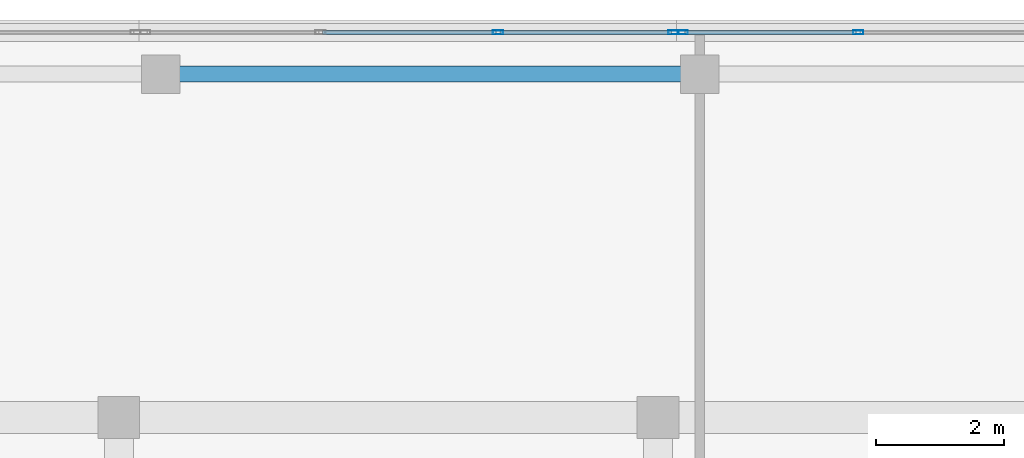
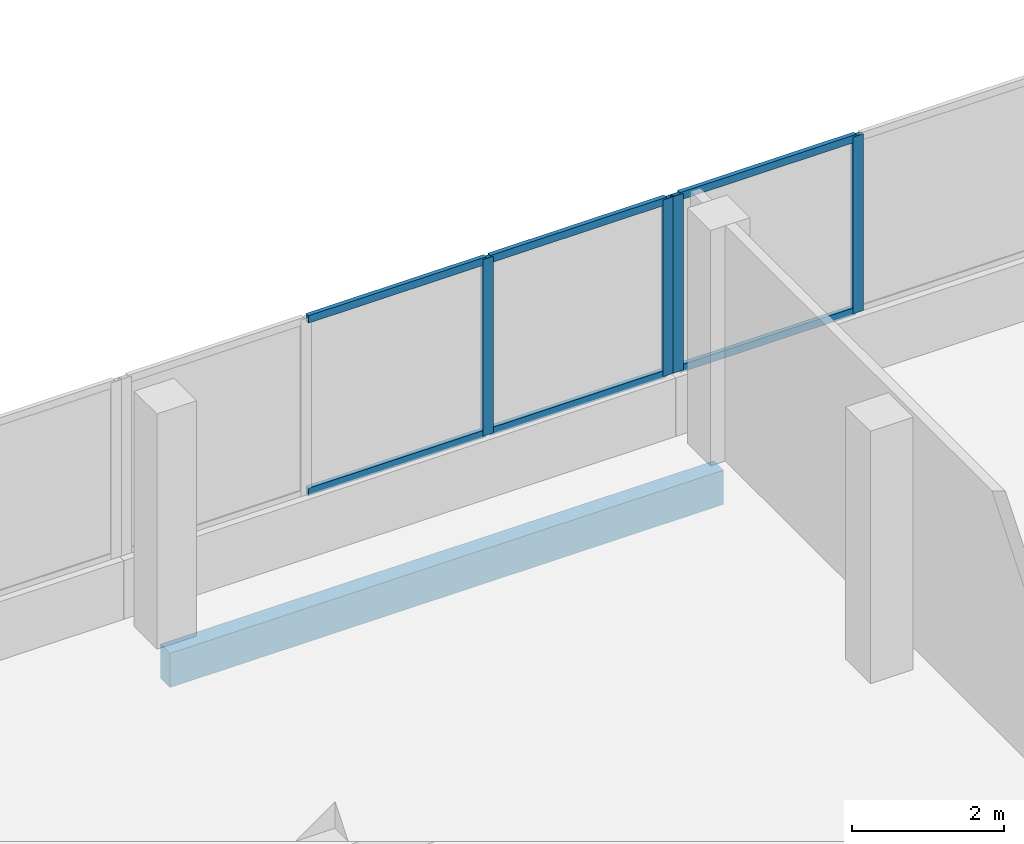
# One storey, part 55 of 78: 10 members, 1 beam, 2 elements without a shape of their own.
"""IFC4 building model written with IfcOpenShell, lengths in metres."""

from ifc_helpers import new_model, si_unit, direction, frame, origin, origin_2d, place, context, subcontext, project, spatial, rectangle, hollow_rectangle, extrude, material, material_profile, profile_set, type_object, element, aggregate, save


model = new_model("IFC4")

# Units and contexts
model_context = context("Model", 3, precision=1e-05, world=origin(), true_north=direction((0.0, 1.0)))
body_context = subcontext(model_context, "Body", "Model", "MODEL_VIEW")
ifc_project = project(units=[si_unit("LENGTHUNIT", "METRE"), si_unit("AREAUNIT", "SQUARE_METRE"), si_unit("VOLUMEUNIT", "CUBIC_METRE"), si_unit("PLANEANGLEUNIT", "RADIAN"), si_unit("MASSUNIT", "GRAM", prefix="KILO")], contexts=[model_context])

# Site, building, storey
site_placement = place(None, origin())
site = spatial("IfcSite", under=ifc_project, at=site_placement, CompositionType="ELEMENT")
building_placement = place(site_placement, origin())
building = spatial("IfcBuilding", under=site, at=building_placement, Name="Selatvlak General Hospital", CompositionType="ELEMENT")
storey_placement = place(building_placement, frame((0.0, 0.0, 23.25)))
storey = spatial("IfcBuildingStorey", under=building, at=storey_placement, Name="L05", CompositionType="ELEMENT", Elevation=23.25)

# Beam
ifc_material_1 = material(Name="Concrete C40/50", Category="concrete")
ifc_material_profile_1 = material_profile(ifc_material_1, rectangle(XDim=0.25, YDim=0.550048828125, at=origin_2d()), Name="RC-SP 250x550")
ifc_profile_set_1 = profile_set([ifc_material_profile_1], Name="Concrete C40/50")
beam_type = type_object("IfcBeamType", Name="BM-SP2", PredefinedType="SPANDREL", material=ifc_profile_set_1)
beam_placement = place(storey_placement, frame((157.199951171875, 119.35009765625, -0.554931640625), z_axis=(1.0, 0.0, 0.0), x_axis=(0.0, 1.0, 0.0)))
element("IfcBeam", 1, at=beam_placement, inside=storey, type_object=beam_type, Name="Beam BMR-L05-1986", PredefinedType="SPANDREL", context=body_context, shape_type="SweptSolid", body=[
    extrude(rectangle(XDim=0.25, YDim=0.550048828125, at=origin_2d()), origin(), (0.0, 0.0, 1.0), 8.400146484375),
])

# Curtain wall, members
ifc_material_2 = material(Name="Solar-control Low-E double glazing", Category="glass")
curtain_wall_type_1 = type_object("IfcCurtainWallType", Name="CW-CW-01", PredefinedType="USERDEFINED", material=ifc_material_2)
curtain_wall_1_placement = place(storey_placement, origin())
curtain_wall_1 = element("IfcCurtainWall", 2, at=curtain_wall_1_placement, inside=storey, type_object=curtain_wall_type_1, Name="Glazed facade curtain wall CW-L05-0563", ObjectType="UNITISED CURTAIN WALL", PredefinedType="USERDEFINED")
ifc_material_3 = material(Name="Dark anodised aluminium mullion", Category="aluminium")
ifc_material_profile_2 = material_profile(ifc_material_3, hollow_rectangle(XDim=0.06494140625, YDim=0.159912109375, WallThickness=0.00390625, at=origin_2d()), Name="AL-MUL 65x160x4")
ifc_profile_set_2 = profile_set([ifc_material_profile_2], Name="Dark anodised aluminium mullion")
member_type_1 = type_object("IfcMemberType", Name="CWM-01", PredefinedType="MULLION", material=ifc_profile_set_2)
member_1_placement = place(storey_placement, frame((162.459716796875, 120.0, 0.93994140625), z_axis=(0.0, 0.0, 1.0), x_axis=(0.0, 1.0, 0.0)))
member_1 = element("IfcMember", 3, at=member_1_placement, type_object=member_type_1, Name="CW-01 mullion 3", PredefinedType="MULLION", context=body_context, shape_type="SweptSolid", body=[
    extrude(hollow_rectangle(XDim=0.06494140625, YDim=0.159912109375, WallThickness=0.00390625, at=origin_2d()), origin(), (0.0, 0.0, 1.0), 2.8349609375),
])
member_2_placement = place(storey_placement, frame((165.193603515625, 120.0, 0.93994140625), z_axis=(0.0, 0.0, 1.0), x_axis=(0.0, 1.0, 0.0)))
member_2 = element("IfcMember", 4, at=member_2_placement, type_object=member_type_1, Name="CW-01 mullion 4", PredefinedType="MULLION", context=body_context, shape_type="SweptSolid", body=[
    extrude(hollow_rectangle(XDim=0.06494140625, YDim=0.159912109375, WallThickness=0.00390625, at=origin_2d()), origin(), (0.0, 0.0, 1.0), 2.8349609375),
])

curtain_wall_type_2 = type_object("IfcCurtainWallType", Name="CW-CW-02", PredefinedType="USERDEFINED", material=ifc_material_2)
curtain_wall_2_placement = place(storey_placement, origin())
curtain_wall_2 = element("IfcCurtainWall", 5, at=curtain_wall_2_placement, inside=storey, type_object=curtain_wall_type_2, Name="Glazed facade curtain wall CW-L05-0564", ObjectType="UNITISED CURTAIN WALL", PredefinedType="USERDEFINED")
member_3_placement = place(storey_placement, frame((165.33837890625, 120.0, 0.93994140625), z_axis=(0.0, 0.0, 1.0), x_axis=(0.0, 1.0, 0.0)))
member_3 = element("IfcMember", 6, at=member_3_placement, type_object=member_type_1, Name="CW-02 mullion 1", PredefinedType="MULLION", context=body_context, shape_type="SweptSolid", body=[
    extrude(hollow_rectangle(XDim=0.06494140625, YDim=0.159912109375, WallThickness=0.00390625, at=origin_2d()), origin(), (0.0, 0.0, 1.0), 2.8349609375),
])
member_4_placement = place(storey_placement, frame((168.072265625, 120.0, 0.93994140625), z_axis=(0.0, 0.0, 1.0), x_axis=(0.0, 1.0, 0.0)))
member_4 = element("IfcMember", 7, at=member_4_placement, type_object=member_type_1, Name="CW-02 mullion 2", PredefinedType="MULLION", context=body_context, shape_type="SweptSolid", body=[
    extrude(hollow_rectangle(XDim=0.06494140625, YDim=0.159912109375, WallThickness=0.00390625, at=origin_2d()), origin(), (0.0, 0.0, 1.0), 2.8349609375),
])

# Member
ifc_material_profile_3 = material_profile(ifc_material_3, hollow_rectangle(XDim=0.06494140625, YDim=0.1201171875, WallThickness=0.00390625, at=origin_2d()), Name="AL-TRN 65x120x4")
ifc_profile_set_3 = profile_set([ifc_material_profile_3], Name="Dark anodised aluminium mullion")
member_type_2 = type_object("IfcMemberType", Name="CWT-01", PredefinedType="USERDEFINED", material=ifc_profile_set_3)
member_5_placement = place(storey_placement, frame((159.725830078125, 120.0, 0.972412109375), z_axis=(1.0, 0.0, 0.0), x_axis=(0.0, 1.0, 0.0)))
member_5 = element("IfcMember", 8, at=member_5_placement, type_object=member_type_2, Name="CW-01 transom 2.1", ObjectType="TRANSOM", PredefinedType="USERDEFINED", context=body_context, shape_type="SweptSolid", body=[
    extrude(hollow_rectangle(XDim=0.06494140625, YDim=0.1201171875, WallThickness=0.00390625, at=origin_2d()), origin(), (0.0, 0.0, 1.0), 2.701416015625),
])

member_6_placement = place(storey_placement, frame((159.725830078125, 120.0, 3.742431640625), z_axis=(1.0, 0.0, 0.0), x_axis=(0.0, 1.0, 0.0)))
member_6 = element("IfcMember", 9, at=member_6_placement, type_object=member_type_2, Name="CW-01 transom 2.2", ObjectType="TRANSOM", PredefinedType="USERDEFINED", context=body_context, shape_type="SweptSolid", body=[
    extrude(hollow_rectangle(XDim=0.06494140625, YDim=0.1201171875, WallThickness=0.00390625, at=origin_2d()), origin(), (0.0, 0.0, 1.0), 2.701416015625),
])

member_7_placement = place(storey_placement, frame((162.4921875, 120.0, 0.972412109375), z_axis=(1.0, 0.0, 0.0), x_axis=(0.0, 1.0, 0.0)))
member_7 = element("IfcMember", 10, at=member_7_placement, type_object=member_type_2, Name="CW-01 transom 3.1", ObjectType="TRANSOM", PredefinedType="USERDEFINED", context=body_context, shape_type="SweptSolid", body=[
    extrude(hollow_rectangle(XDim=0.06494140625, YDim=0.1201171875, WallThickness=0.00390625, at=origin_2d()), origin(), (0.0, 0.0, 1.0), 2.668701171875),
])

member_8_placement = place(storey_placement, frame((162.4921875, 120.0, 3.742431640625), z_axis=(1.0, 0.0, 0.0), x_axis=(0.0, 1.0, 0.0)))
member_8 = element("IfcMember", 11, at=member_8_placement, type_object=member_type_2, Name="CW-01 transom 3.2", ObjectType="TRANSOM", PredefinedType="USERDEFINED", context=body_context, shape_type="SweptSolid", body=[
    extrude(hollow_rectangle(XDim=0.06494140625, YDim=0.1201171875, WallThickness=0.00390625, at=origin_2d()), origin(), (0.0, 0.0, 1.0), 2.668701171875),
])

aggregate(curtain_wall_1, [member_1, member_2, member_5, member_6, member_7, member_8])

member_9_placement = place(storey_placement, frame((165.37109375, 120.0, 0.972412109375), z_axis=(1.0, 0.0, 0.0), x_axis=(0.0, 1.0, 0.0)))
member_9 = element("IfcMember", 12, at=member_9_placement, type_object=member_type_2, Name="CW-02 transom 1.1", ObjectType="TRANSOM", PredefinedType="USERDEFINED", context=body_context, shape_type="SweptSolid", body=[
    extrude(hollow_rectangle(XDim=0.06494140625, YDim=0.1201171875, WallThickness=0.00390625, at=origin_2d()), origin(), (0.0, 0.0, 1.0), 2.668701171875),
])

member_10_placement = place(storey_placement, frame((165.37109375, 120.0, 3.742431640625), z_axis=(1.0, 0.0, 0.0), x_axis=(0.0, 1.0, 0.0)))
member_10 = element("IfcMember", 13, at=member_10_placement, type_object=member_type_2, Name="CW-02 transom 1.2", ObjectType="TRANSOM", PredefinedType="USERDEFINED", context=body_context, shape_type="SweptSolid", body=[
    extrude(hollow_rectangle(XDim=0.06494140625, YDim=0.1201171875, WallThickness=0.00390625, at=origin_2d()), origin(), (0.0, 0.0, 1.0), 2.668701171875),
])

aggregate(curtain_wall_2, [member_3, member_4, member_9, member_10])

save(model, "model.ifc")
